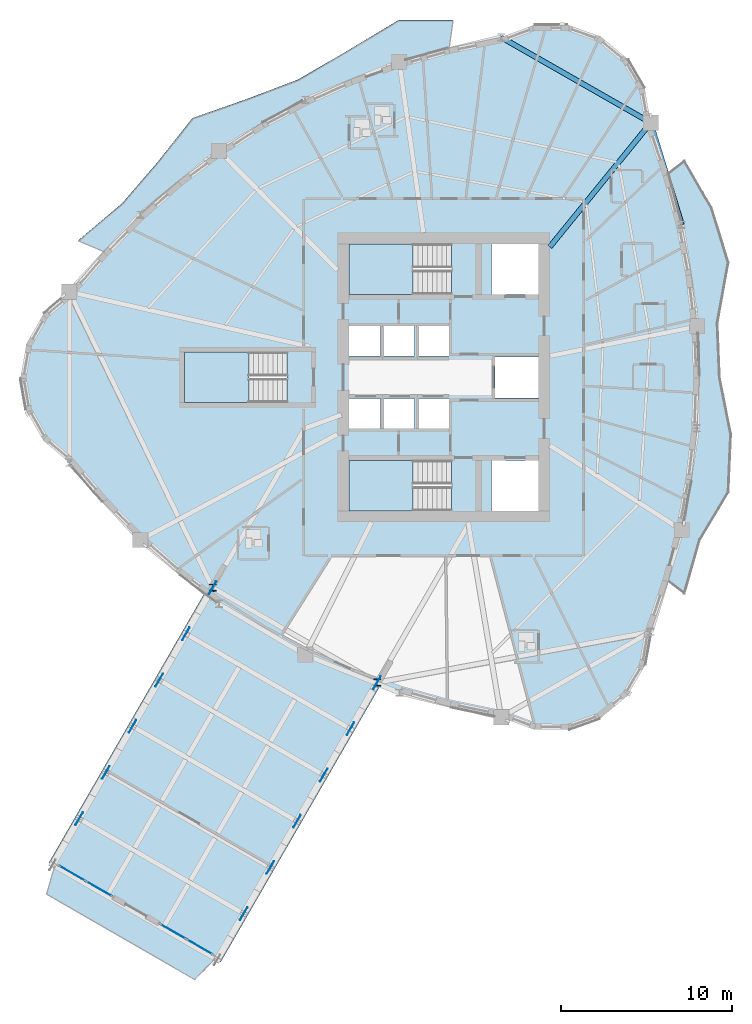
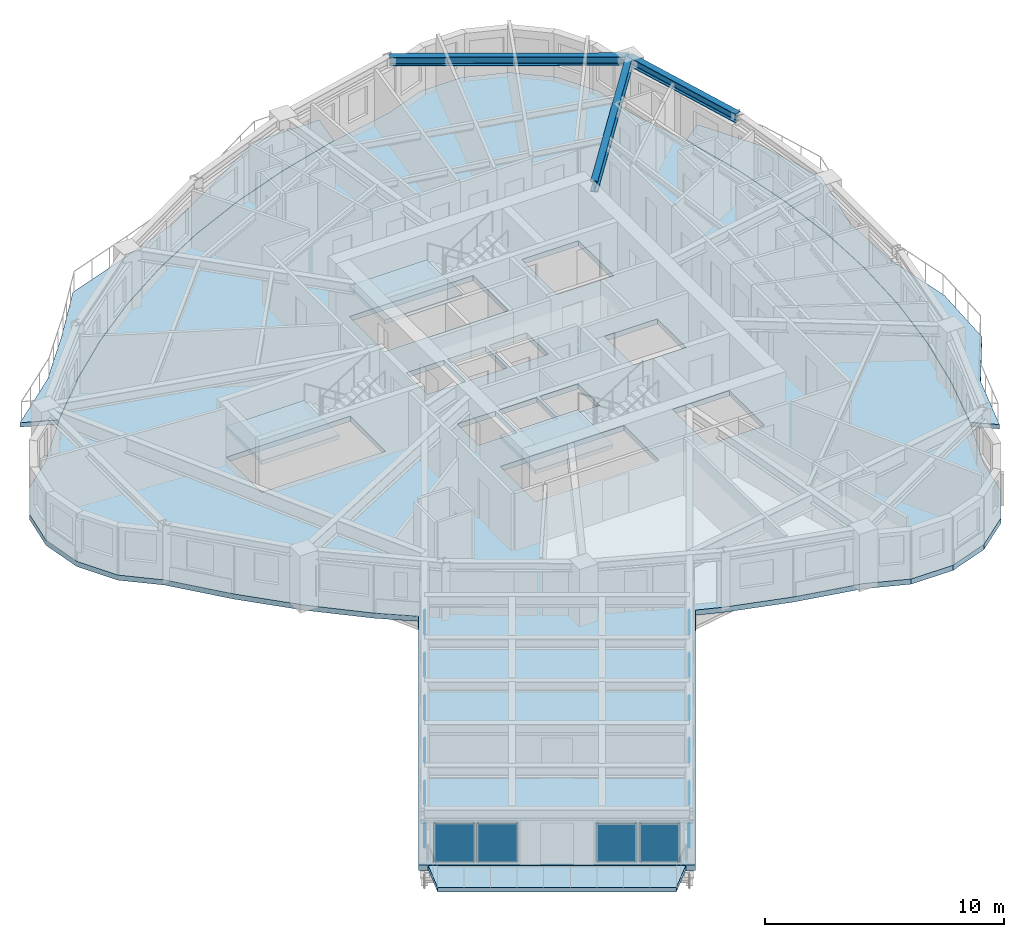
# One storey, part 4 of 17: 16 plates, 7 slabs, 3 beams, 2 members, 5 elements without a shape of their own.
"""IFC4 building model written with IfcOpenShell, lengths in metres."""

from ifc_helpers import new_model, si_unit, direction, frame, origin, origin_2d, place, context, subcontext, project, spatial, polyline, rectangle, i_section, outline, extrude, source, transform, mapped, material, layer, layer_set, material_profile, profile_set, type_object, element, aggregate, save


model = new_model("IFC4")

# Units and contexts
model_context = context("Model", 3, precision=1e-05, world=origin(), true_north=direction((0.0, 1.0)))
body_context = subcontext(model_context, "Body", "Model", "MODEL_VIEW")
ifc_project = project(units=[si_unit("LENGTHUNIT", "METRE"), si_unit("AREAUNIT", "SQUARE_METRE"), si_unit("VOLUMEUNIT", "CUBIC_METRE"), si_unit("PLANEANGLEUNIT", "RADIAN"), si_unit("MASSUNIT", "GRAM", prefix="KILO")], contexts=[model_context])

# Site, building, storey
site_placement = place(None, origin())
site = spatial("IfcSite", under=ifc_project, at=site_placement, CompositionType="ELEMENT")
building_placement = place(site_placement, origin())
building = spatial("IfcBuilding", under=site, at=building_placement, Name="Qafzar Sky-Pleat Residences", CompositionType="ELEMENT")
storey_placement = place(building_placement, frame((0.0, 0.0, 108.800048828125)))
storey = spatial("IfcBuildingStorey", under=building, at=storey_placement, Name="L32", CompositionType="ELEMENT", Elevation=108.800048828125)

# Beams
ifc_material_1 = material(Name="Steel S355", Category="steel")
ifc_material_profile_1 = material_profile(ifc_material_1, i_section(OverallWidth=0.300048828125, OverallDepth=0.449951171875, WebThickness=0.013916015625, FlangeThickness=0.02587890625, FilletRadius=0.027099609375, at=origin_2d()), Name="HEB 450")
ifc_profile_set_1 = profile_set([ifc_material_profile_1], Name="Steel S355")
beam_type_1 = type_object("IfcBeamType", Name="BM-SPAN-HEB450", PredefinedType="SPANDREL", material=ifc_profile_set_1)
shared_shape_1 = source(origin(), body_context, "Body", "SweptSolid", [
    extrude(i_section(OverallWidth=0.300048828125, OverallDepth=0.449951171875, WebThickness=0.013916015625, FlangeThickness=0.02587890625, FilletRadius=0.027099609375, at=origin_2d()), origin(), (0.0, 0.0, 1.0), 10.072021484375),
])
beam_1_placement = place(storey_placement, frame((42.449951171875, 40.87548828125, 2.7080078125), z_axis=(-0.868302801994, 0.496034519011, 0.0), x_axis=(-0.496034519011, -0.868302801994, 0.0)))
element("IfcBeam", 1, at=beam_1_placement, inside=storey, type_object=beam_type_1, Name="L32 Perimeter Spandrel Beam 13", PredefinedType="SPANDREL", context=body_context, shape_type="MappedRepresentation", body=[
    mapped(shared_shape_1, transform((0.0, 0.0, 0.0), x_axis=(1.0, 0.0, 0.0), y_axis=(0.0, 1.0, 0.0), z_axis=(0.0, 0.0, 1.0), scale=1.0)),
])
shared_shape_2 = source(origin(), body_context, "Body", "SweptSolid", [
    extrude(i_section(OverallWidth=0.300048828125, OverallDepth=0.449951171875, WebThickness=0.013916015625, FlangeThickness=0.02587890625, FilletRadius=0.027099609375, at=origin_2d()), origin(), (0.0, 0.0, 1.0), 6.218994140625),
])
beam_2_placement = place(storey_placement, frame((44.2587890625, 34.92529296875, 2.7080078125), z_axis=(-0.29085386248, 0.956767490397, 0.0), x_axis=(-0.956767490397, -0.29085386248, 0.0)))
element("IfcBeam", 2, at=beam_2_placement, inside=storey, type_object=beam_type_1, Name="L32 Perimeter Spandrel Beam 12", PredefinedType="SPANDREL", context=body_context, shape_type="MappedRepresentation", body=[
    mapped(shared_shape_2, transform((0.0, 0.0, 0.0), x_axis=(1.0, 0.0, 0.0), y_axis=(0.0, 1.0, 0.0), z_axis=(0.0, 0.0, 1.0), scale=1.0)),
])
ifc_material_profile_2 = material_profile(ifc_material_1, i_section(OverallWidth=0.300048828125, OverallDepth=0.550048828125, WebThickness=0.014892578125, FlangeThickness=0.029052734375, FilletRadius=0.027099609375, at=origin_2d()), Name="HEB 550")
ifc_profile_set_2 = profile_set([ifc_material_profile_2], Name="Steel S355")
beam_type_2 = type_object("IfcBeamType", Name="BM-GIRD-HEB550", PredefinedType="BEAM", material=ifc_profile_set_2)
shared_shape_3 = source(origin(), body_context, "Body", "SweptSolid", [
    extrude(i_section(OverallWidth=0.300048828125, OverallDepth=0.550048828125, WebThickness=0.014892578125, FlangeThickness=0.029052734375, FilletRadius=0.027099609375, at=origin_2d()), origin(), (0.0, 0.0, 1.0), 9.349609375),
])
beam_3_placement = place(storey_placement, frame((42.449951171875, 40.87548828125, 2.657958984375), z_axis=(-0.631024083188, -0.775763241225, 0.0), x_axis=(0.775763241225, -0.631024083188, 0.0)))
element("IfcBeam", 3, at=beam_3_placement, inside=storey, type_object=beam_type_2, Name="L32 Radial Floor Girder 13", PredefinedType="BEAM", context=body_context, shape_type="MappedRepresentation", body=[
    mapped(shared_shape_3, transform((0.0, 0.0, 0.0), x_axis=(1.0, 0.0, 0.0), y_axis=(0.0, 1.0, 0.0), z_axis=(0.0, 0.0, 1.0), scale=1.0)),
])

# Members
ifc_material_2 = material(Name="Steel S460", Category="steel")
ifc_material_profile_3 = material_profile(ifc_material_2, i_section(OverallWidth=0.408935546875, OverallDepth=0.425048828125, WebThickness=0.030029296875, FlangeThickness=0.048095703125, FilletRadius=0.014892578125, at=origin_2d()), Name="HD 400x421")
ifc_profile_set_3 = profile_set([ifc_material_profile_3], Name="Steel S460")
member_type = type_object("IfcMemberType", Name="MEM-SB-POST", PredefinedType="POST", material=ifc_profile_set_3)
shared_shape_4 = source(origin(), body_context, "Body", "SweptSolid", [
    extrude(i_section(OverallWidth=0.408935546875, OverallDepth=0.425048828125, WebThickness=0.030029296875, FlangeThickness=0.048095703125, FilletRadius=0.014892578125, at=origin_2d()), origin(), (0.0, 0.0, 1.0), 0.77978515625),
])
for number, where, z_axis, x_axis, name in (
    (4, (26.456298828125, 8.15625, -1.06494140625), (0.0, 0.0, 1.0), (1.0, 0.0, 0.0), "SB-3 Root Truss Post L0"),
    (5, (16.843505859375, 13.706298828125, -1.06494140625), (0.0, 0.0, 1.0), (1.0, 0.0, 0.0), "SB-3 Root Truss Post R0"),
):
    element("IfcMember", number, at=place(storey_placement, frame(where, z_axis=z_axis, x_axis=x_axis)), inside=storey, type_object=member_type, Name=name, PredefinedType="POST", context=body_context, shape_type="MappedRepresentation", body=[
        mapped(shared_shape_4, transform((0.0, 0.0, 0.0), x_axis=(1.0, 0.0, 0.0), y_axis=(0.0, 1.0, 0.0), z_axis=(0.0, 0.0, 1.0), scale=1.0)),
    ])

# Slabs
ifc_material_3 = material(Name="Concrete C40/50", Category="concrete")
ifc_layer_1 = layer(ifc_material_3, 0.219970703125)
ifc_layer_set_1 = layer_set([ifc_layer_1], Name="Concrete C40/50")
slab_type_1 = type_object("IfcSlabType", Name="SLAB-BAL-220", PredefinedType="USERDEFINED", material=ifc_layer_set_1)
slab_1_placement = place(storey_placement, frame((0.0, 0.0, -0.219970703125)))
element("IfcSlab", 6, at=slab_1_placement, inside=storey, type_object=slab_type_1, Name="L32 Pleated Stone Balcony 1", ObjectType="BALCONY", PredefinedType="USERDEFINED", context=body_context, shape_type="SweptSolid", body=[
    extrude(outline(polyline([(44.269287109375, 17.06884765625), (44.83544921875, 20.0458984375), (45.175048828125, 23.02294921875), (45.288330078125, 26.0), (45.175048828125, 28.97705078125), (44.83544921875, 31.9541015625), (44.269287109375, 34.93115234375), (43.47705078125, 37.90771484375), (44.458251953125, 38.66259765625), (46.055908203125, 35.911865234375), (47.032958984375, 32.7314453125), (46.39501953125, 29.188720703125), (46.5263671875, 26.0), (47.18310546875, 22.6748046875), (47.032958984375, 19.2685546875), (45.354736328125, 16.47314453125), (44.458251953125, 13.33740234375), (43.47705078125, 14.09228515625), (44.269287109375, 17.06884765625)])), origin(), (0.0, 0.0, 1.0), 0.219970703125),
])
slab_2_placement = place(storey_placement, frame((0.0, 0.0, -0.219970703125)))
element("IfcSlab", 7, at=slab_2_placement, inside=storey, type_object=slab_type_1, Name="L32 Pleated Stone Balcony 2", ObjectType="BALCONY", PredefinedType="USERDEFINED", context=body_context, shape_type="SweptSolid", body=[
    extrude(outline(polyline([(27.753662109375, 44.442626953125), (24.946044921875, 43.43408203125), (22.251708984375, 42.23388671875), (19.670166015625, 40.84130859375), (17.201904296875, 39.256591796875), (14.84716796875, 37.480224609375), (12.60546875, 35.51171875), (10.477294921875, 33.351318359375), (8.966796875, 33.985107421875), (11.55224609375, 36.162353515625), (13.613037109375, 38.557373046875), (15.662109375, 41.14697265625), (18.868408203125, 42.269775390625), (21.83837890625, 43.40087890625), (24.663330078125, 45.047607421875), (27.72119140625, 46.88037109375), (30.8994140625, 46.88134765625), (30.67431640625, 45.2587890625), (27.753662109375, 44.442626953125)])), origin(), (0.0, 0.0, 1.0), 0.219970703125),
])
ifc_layer_2 = layer(ifc_material_3, 0.22998046875)
ifc_layer_set_2 = layer_set([ifc_layer_2], Name="Concrete C40/50")
slab_type_2 = type_object("IfcSlabType", Name="SLAB-BAL-230", PredefinedType="USERDEFINED", material=ifc_layer_set_2)
slab_3_placement = place(storey_placement, frame((0.0, 0.0, -0.22998046875)))
element("IfcSlab", 8, at=slab_3_placement, inside=storey, type_object=slab_type_2, Name="L32 SB-3 Tip Observation Balcony", ObjectType="BALCONY", PredefinedType="USERDEFINED", context=body_context, shape_type="SweptSolid", body=[
    extrude(outline(polyline([(7.61083984375, -2.58544921875), (7.1396484375, -4.201416015625), (15.7998046875, -9.201416015625), (16.9638671875, -7.985595703125), (7.61083984375, -2.58544921875)])), origin(), (0.0, 0.0, 1.0), 0.22998046875),
])

# Stair, slab
stair_type = type_object("IfcStairType", Name="STAIR-H320", PredefinedType="HALF_TURN_STAIR", material=ifc_material_3)
stair_1_placement = place(storey_placement, origin())
stair_1 = element("IfcStair", 9, at=stair_1_placement, inside=storey, type_object=stair_type, Name="L32 Protected Exit Stair ST1", PredefinedType="HALF_TURN_STAIR")
ifc_layer_3 = layer(ifc_material_3, 0.199951171875)
ifc_layer_set_3 = layer_set([ifc_layer_3], Name="Concrete C40/50")
slab_type_3 = type_object("IfcSlabType", Name="SLAB-LANDING-200", PredefinedType="LANDING", material=ifc_layer_set_3)
slab_4_placement = place(storey_placement, frame((0.0, 0.0, 1.39990234375)))
slab_4 = element("IfcSlab", 10, at=slab_4_placement, type_object=slab_type_3, Name="ST1 landing 1", PredefinedType="LANDING", context=body_context, shape_type="SweptSolid", body=[
    extrude(outline(polyline([(28.56005859375, 21.14990234375), (24.800048828125, 21.14990234375), (24.800048828125, 18.199951171875), (28.56005859375, 18.199951171875), (28.56005859375, 21.14990234375)])), origin(), (0.0, 0.0, 1.0), 0.199951171875),
])
aggregate(stair_1, [slab_4])

stair_2_placement = place(storey_placement, origin())
stair_2 = element("IfcStair", 11, at=stair_2_placement, inside=storey, type_object=stair_type, Name="L32 Protected Exit Stair ST2", PredefinedType="HALF_TURN_STAIR")
slab_5_placement = place(storey_placement, frame((0.0, 0.0, 1.39990234375)))
slab_5 = element("IfcSlab", 12, at=slab_5_placement, type_object=slab_type_3, Name="ST2 landing 1", PredefinedType="LANDING", context=body_context, shape_type="SweptSolid", body=[
    extrude(outline(polyline([(28.56005859375, 33.800048828125), (24.800048828125, 33.800048828125), (24.800048828125, 30.85009765625), (28.56005859375, 30.85009765625), (28.56005859375, 33.800048828125)])), origin(), (0.0, 0.0, 1.0), 0.199951171875),
])
aggregate(stair_2, [slab_5])

stair_3_placement = place(storey_placement, origin())
stair_3 = element("IfcStair", 13, at=stair_3_placement, inside=storey, type_object=stair_type, Name="L32 Protected Exit Stair ST3", PredefinedType="HALF_TURN_STAIR")
slab_6_placement = place(storey_placement, frame((0.0, 0.0, 1.39990234375)))
slab_6 = element("IfcSlab", 14, at=slab_6_placement, type_object=slab_type_3, Name="ST3 landing 1", PredefinedType="LANDING", context=body_context, shape_type="SweptSolid", body=[
    extrude(outline(polyline([(18.9599609375, 27.47509765625), (15.199951171875, 27.47509765625), (15.199951171875, 24.52490234375), (18.9599609375, 24.52490234375), (18.9599609375, 27.47509765625)])), origin(), (0.0, 0.0, 1.0), 0.199951171875),
])
aggregate(stair_3, [slab_6])

# Slab
ifc_layer_4 = layer(ifc_material_3, 0.264892578125)
ifc_layer_set_4 = layer_set([ifc_layer_4], Name="Concrete C40/50")
slab_type_4 = type_object("IfcSlabType", Name="SLAB-SB-265", PredefinedType="FLOOR", material=ifc_layer_set_4)
slab_7_placement = place(storey_placement, frame((0.0, 0.0, -0.26513671875)))
element("IfcSlab", 15, at=slab_7_placement, inside=storey, type_object=slab_type_4, Name="L32 Structural Floor Slab", PredefinedType="FLOOR", context=body_context, shape_type="SweptSolid", body=[
    extrude(outline(polyline([(17.31787109375, -8.172607421875), (7.27197265625, -2.37255859375), (16.3701171875, 13.3857421875), (14.856201171875, 14.527587890625), (12.61572265625, 16.49462890625), (10.48828125, 18.6533203125), (8.47412109375, 21.003662109375), (6.9541015625, 22.298828125), (5.963623046875, 24.032958984375), (5.619873046875, 26.0), (5.963623046875, 27.967041015625), (6.9541015625, 29.701171875), (8.47412109375, 30.996337890625), (10.48828125, 33.3466796875), (12.61572265625, 35.50537109375), (14.856201171875, 37.472412109375), (17.20947265625, 39.247314453125), (19.676025390625, 40.830810546875), (22.255615234375, 42.222412109375), (24.947998046875, 43.42236328125), (27.75390625, 44.4306640625), (30.672607421875, 45.2470703125), (33.704345703125, 45.87158203125), (35.599365234375, 46.57958984375), (37.622314453125, 46.593505859375), (39.527099609375, 45.91162109375), (41.081787109375, 44.6171875), (42.09716796875, 42.867431640625), (42.449951171875, 40.87548828125), (43.467529296875, 37.900390625), (44.2587890625, 34.92529296875), (44.82421875, 31.9501953125), (45.163330078125, 28.97509765625), (45.2763671875, 26.0), (45.163330078125, 23.02490234375), (44.82421875, 20.0498046875), (44.2587890625, 17.07470703125), (43.467529296875, 14.099609375), (42.449951171875, 11.12451171875), (42.09716796875, 9.132568359375), (41.081787109375, 7.3828125), (39.527099609375, 6.08837890625), (37.622314453125, 5.406494140625), (35.599365234375, 5.42041015625), (33.704345703125, 6.12841796875), (30.672607421875, 6.7529296875), (27.75390625, 7.5693359375), (26.637939453125, 7.970458984375), (17.31787109375, -8.172607421875)]), holes=[polyline([(30.797119140625, 21.14990234375), (24.800048828125, 21.14990234375), (24.800048828125, 18.199951171875), (30.797119140625, 18.199951171875), (30.797119140625, 21.14990234375)]), polyline([(30.797119140625, 33.800048828125), (24.800048828125, 33.800048828125), (24.800048828125, 30.85009765625), (30.797119140625, 30.85009765625), (30.797119140625, 33.800048828125)]), polyline([(21.197021484375, 27.47509765625), (15.199951171875, 27.47509765625), (15.199951171875, 24.52490234375), (21.197021484375, 24.52490234375), (21.197021484375, 27.47509765625)]), polyline([(24.800048828125, 22.949951171875), (26.64990234375, 22.949951171875), (26.64990234375, 24.75), (24.800048828125, 24.75), (24.800048828125, 22.949951171875)]), polyline([(26.800048828125, 22.949951171875), (28.64990234375, 22.949951171875), (28.64990234375, 24.75), (26.800048828125, 24.75), (26.800048828125, 22.949951171875)]), polyline([(28.800048828125, 22.949951171875), (30.64990234375, 22.949951171875), (30.64990234375, 24.75), (28.800048828125, 24.75), (28.800048828125, 22.949951171875)]), polyline([(24.800048828125, 27.25), (26.64990234375, 27.25), (26.64990234375, 29.050048828125), (24.800048828125, 29.050048828125), (24.800048828125, 27.25)]), polyline([(26.800048828125, 27.25), (28.64990234375, 27.25), (28.64990234375, 29.050048828125), (26.800048828125, 29.050048828125), (26.800048828125, 27.25)]), polyline([(28.800048828125, 27.25), (30.64990234375, 27.25), (30.64990234375, 29.050048828125), (28.800048828125, 29.050048828125), (28.800048828125, 27.25)]), polyline([(33.14990234375, 18.199951171875), (35.89990234375, 18.199951171875), (35.89990234375, 21.14990234375), (33.14990234375, 21.14990234375), (33.14990234375, 18.199951171875)]), polyline([(33.14990234375, 30.85009765625), (35.89990234375, 30.85009765625), (35.89990234375, 33.800048828125), (33.14990234375, 33.800048828125), (33.14990234375, 30.85009765625)]), polyline([(33.35009765625, 24.800048828125), (35.89990234375, 24.800048828125), (35.89990234375, 27.199951171875), (33.35009765625, 27.199951171875), (33.35009765625, 24.800048828125)])]), origin(), (0.0, 0.0, 1.0), 0.26513671875),
])

# Plates
ifc_layer_5 = layer(ifc_material_1, 0.034912109375)
ifc_layer_set_5 = layer_set([ifc_layer_5], Name="Steel S355")
plate_type_1 = type_object("IfcPlateType", Name="PLT-NODE-SBN1", PredefinedType="SHEET", material=ifc_layer_set_5)
shared_shape_5 = source(origin(), body_context, "Body", "SweptSolid", [
    extrude(rectangle(XDim=0.85009765625, YDim=0.034912109375, at=origin_2d()), origin(), (0.0, 0.0, 1.0), 0.64990234375),
])
for number, where, z_axis, x_axis, name in (
    (16, (26.456298828125, 8.15625, -0.989990234375), (0.0, 0.0, 1.0), (-0.5, -0.866025403784, 0.0), "SB-3 Truss Node Plate L0"),
    (17, (24.897216796875, 5.45556640625, -0.989990234375), (0.0, 0.0, 1.0), (-0.5, -0.866025403784, 0.0), "SB-3 Truss Node Plate L1"),
    (18, (23.337890625, 2.7548828125, -0.989990234375), (0.0, 0.0, 1.0), (-0.5, -0.866025403784, 0.0), "SB-3 Truss Node Plate L2"),
    (19, (21.77880859375, 0.05419921875, -0.989990234375), (0.0, 0.0, 1.0), (-0.5, -0.866025403784, 0.0), "SB-3 Truss Node Plate L3"),
    (20, (20.219482421875, -2.646240234375, -0.989990234375), (0.0, 0.0, 1.0), (-0.5, -0.866025403784, 0.0), "SB-3 Truss Node Plate L4"),
    (21, (18.660400390625, -5.346923828125, -0.989990234375), (0.0, 0.0, 1.0), (-0.5, -0.866025403784, 0.0), "SB-3 Truss Node Plate L5"),
    (22, (16.843505859375, 13.706298828125, -0.989990234375), (0.0, 0.0, 1.0), (-0.5, -0.866025403784, 0.0), "SB-3 Truss Node Plate R0"),
    (23, (15.284423828125, 11.005615234375, -0.989990234375), (0.0, 0.0, 1.0), (-0.5, -0.866025403784, 0.0), "SB-3 Truss Node Plate R1"),
    (24, (13.72509765625, 8.304931640625, -0.989990234375), (0.0, 0.0, 1.0), (-0.5, -0.866025403784, 0.0), "SB-3 Truss Node Plate R2"),
    (25, (12.166015625, 5.604248046875, -0.989990234375), (0.0, 0.0, 1.0), (-0.5, -0.866025403784, 0.0), "SB-3 Truss Node Plate R3"),
    (26, (10.606689453125, 2.90380859375, -0.989990234375), (0.0, 0.0, 1.0), (-0.5, -0.866025403784, 0.0), "SB-3 Truss Node Plate R4"),
    (27, (9.047607421875, 0.203125, -0.989990234375), (0.0, 0.0, 1.0), (-0.5, -0.866025403784, 0.0), "SB-3 Truss Node Plate R5"),
):
    element("IfcPlate", number, at=place(storey_placement, frame(where, z_axis=z_axis, x_axis=x_axis)), inside=storey, type_object=plate_type_1, Name=name, PredefinedType="SHEET", context=body_context, shape_type="MappedRepresentation", body=[
        mapped(shared_shape_5, transform((0.0, 0.0, 0.0), x_axis=(1.0, 0.0, 0.0), y_axis=(0.0, 1.0, 0.0), z_axis=(0.0, 0.0, 1.0), scale=1.0)),
    ])

# Curtain wall, plates
ifc_material_4 = material(Name="Anodised bronze aluminium framing", Category="aluminium")
ifc_layer_6 = layer(ifc_material_4, 0.239990234375)
ifc_layer_set_6 = layer_set([ifc_layer_6], Name="Anodised bronze aluminium framing")
curtain_wall_type_1 = type_object("IfcCurtainWallType", Name="CW-SYS-02", PredefinedType="NOTDEFINED", material=ifc_layer_set_6)
curtain_wall_1_placement = place(storey_placement, origin())
curtain_wall_1 = element("IfcCurtainWall", 28, at=curtain_wall_1_placement, inside=storey, type_object=curtain_wall_type_1, Name="L32 CW-02 Curtain Wall CW-L32-SB-3-PROW-L", PredefinedType="NOTDEFINED")
ifc_material_5 = material(Name="Solar-control double low-E glazing", Category="glass")
ifc_layer_7 = layer(ifc_material_5, 0.031982421875)
ifc_layer_set_7 = layer_set([ifc_layer_7], Name="Solar-control double low-E glazing")
plate_type_2 = type_object("IfcPlateType", Name="CWP-02", PredefinedType="CURTAIN_PANEL", material=ifc_layer_set_7)
shared_shape_6 = source(origin(), body_context, "Body", "SweptSolid", [
    extrude(rectangle(XDim=1.7275390625, YDim=0.031982421875, at=origin_2d()), origin(), (0.0, 0.0, 1.0), 1.965087890625),
])
plate_1_placement = place(storey_placement, frame((16.0947265625, -7.293212890625, 0.07470703125), z_axis=(0.0, 0.0, 1.0), x_axis=(-0.866027204994, 0.499996880201, 0.0)))
plate_1 = element("IfcPlate", 29, at=plate_1_placement, type_object=plate_type_2, Name="CW-02 panel 1.1", PredefinedType="CURTAIN_PANEL", context=body_context, shape_type="MappedRepresentation", body=[
    mapped(shared_shape_6, transform((0.0, 0.0, 0.0), x_axis=(1.0, 0.0, 0.0), y_axis=(0.0, 1.0, 0.0), z_axis=(0.0, 0.0, 1.0), scale=1.0)),
])
plate_2_placement = place(storey_placement, frame((14.53369140625, -6.39208984375, 0.07470703125), z_axis=(0.0, 0.0, 1.0), x_axis=(-0.866027204994, 0.499996880201, 0.0)))
plate_2 = element("IfcPlate", 30, at=plate_2_placement, type_object=plate_type_2, Name="CW-02 panel 2.1", PredefinedType="CURTAIN_PANEL", context=body_context, shape_type="MappedRepresentation", body=[
    mapped(shared_shape_6, transform((0.0, 0.0, 0.0), x_axis=(1.0, 0.0, 0.0), y_axis=(0.0, 1.0, 0.0), z_axis=(0.0, 0.0, 1.0), scale=1.0)),
])
aggregate(curtain_wall_1, [plate_1, plate_2])

ifc_layer_8 = layer(ifc_material_4, 0.219970703125)
ifc_layer_set_8 = layer_set([ifc_layer_8], Name="Anodised bronze aluminium framing")
curtain_wall_type_2 = type_object("IfcCurtainWallType", Name="CW-SYS-03", PredefinedType="NOTDEFINED", material=ifc_layer_set_8)
curtain_wall_2_placement = place(storey_placement, origin())
curtain_wall_2 = element("IfcCurtainWall", 31, at=curtain_wall_2_placement, inside=storey, type_object=curtain_wall_type_2, Name="L32 CW-03 Curtain Wall CW-L32-SB-3-PROW-R", PredefinedType="NOTDEFINED")
ifc_layer_9 = layer(ifc_material_5, 0.030029296875)
ifc_layer_set_9 = layer_set([ifc_layer_9], Name="Solar-control double low-E glazing")
plate_type_3 = type_object("IfcPlateType", Name="CWP-03", PredefinedType="CURTAIN_PANEL", material=ifc_layer_set_9)
shared_shape_7 = source(origin(), body_context, "Body", "SweptSolid", [
    extrude(rectangle(XDim=1.735107421875, YDim=0.030029296875, at=origin_2d()), origin(), (0.0, 0.0, 1.0), 1.97509765625),
])
plate_3_placement = place(storey_placement, frame((10.206787109375, -3.893798828125, 0.06982421875), z_axis=(0.0, 0.0, 1.0), x_axis=(-0.866027204994, 0.499996880201, 0.0)))
plate_3 = element("IfcPlate", 32, at=plate_3_placement, type_object=plate_type_3, Name="CW-03 panel 1.1", PredefinedType="CURTAIN_PANEL", context=body_context, shape_type="MappedRepresentation", body=[
    mapped(shared_shape_7, transform((0.0, 0.0, 0.0), x_axis=(1.0, 0.0, 0.0), y_axis=(0.0, 1.0, 0.0), z_axis=(0.0, 0.0, 1.0), scale=1.0)),
])
plate_4_placement = place(storey_placement, frame((8.643798828125, -2.991455078125, 0.06982421875), z_axis=(0.0, 0.0, 1.0), x_axis=(-0.866027204994, 0.499996880201, 0.0)))
plate_4 = element("IfcPlate", 33, at=plate_4_placement, type_object=plate_type_3, Name="CW-03 panel 2.1", PredefinedType="CURTAIN_PANEL", context=body_context, shape_type="MappedRepresentation", body=[
    mapped(shared_shape_7, transform((0.0, 0.0, 0.0), x_axis=(1.0, 0.0, 0.0), y_axis=(0.0, 1.0, 0.0), z_axis=(0.0, 0.0, 1.0), scale=1.0)),
])
aggregate(curtain_wall_2, [plate_3, plate_4])

save(model, "model.ifc")
